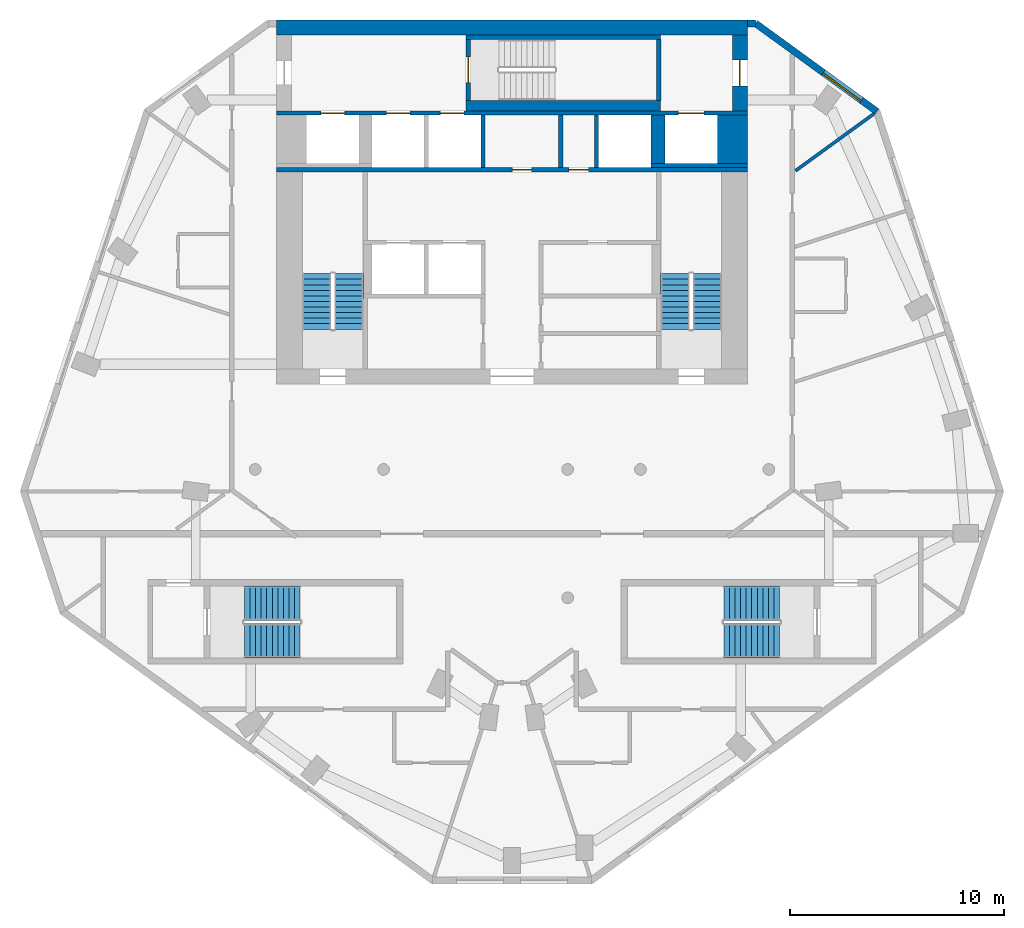
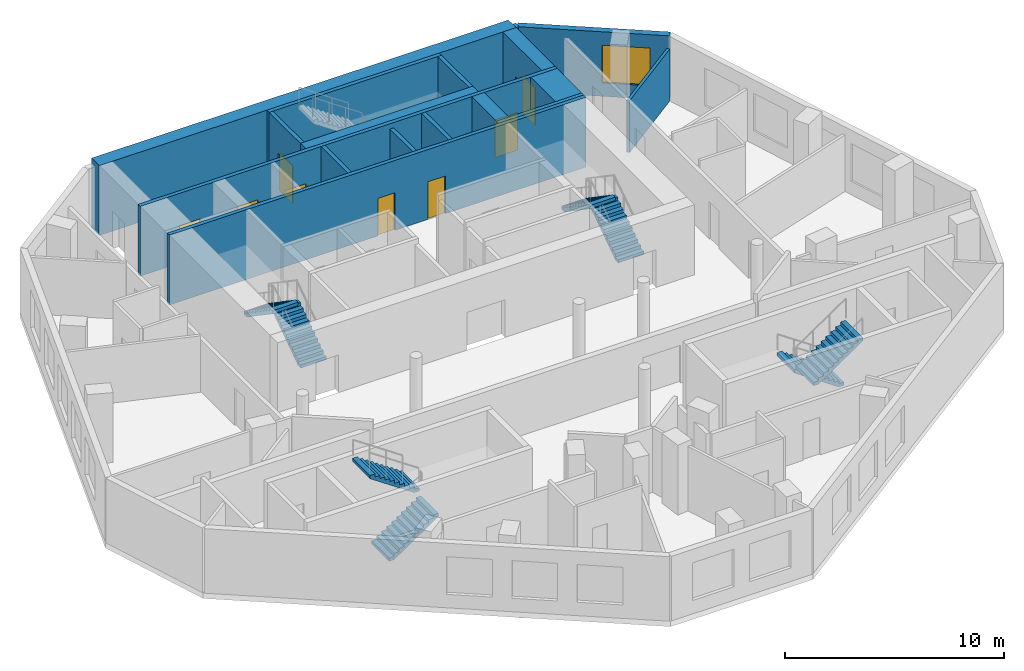
# One storey, part 5 of 8: 17 walls, 8 doors, 8 stair flights, 1 window, 9 openings, 4 elements without a shape of their own.
"""IFC4 building model written with IfcOpenShell, lengths in metres."""

from ifc_helpers import new_model, si_unit, direction, frame, frame_2d, origin, place, context, subcontext, project, spatial, polyline, rectangle, outline, extrude, material, layer, layer_set, type_object, element, fill, aggregate, save


model = new_model("IFC4")

# Units and contexts
model_context = context("Model", 3, precision=1e-05, world=origin(), true_north=direction((0.0, 1.0)))
body_context = subcontext(model_context, "Body", "Model", "MODEL_VIEW")
ifc_project = project(units=[si_unit("LENGTHUNIT", "METRE"), si_unit("AREAUNIT", "SQUARE_METRE"), si_unit("VOLUMEUNIT", "CUBIC_METRE"), si_unit("PLANEANGLEUNIT", "RADIAN"), si_unit("MASSUNIT", "GRAM", prefix="KILO")], contexts=[model_context])

# Site, building, storey
site_placement = place(None, origin())
site = spatial("IfcSite", under=ifc_project, at=site_placement, CompositionType="ELEMENT")
building_placement = place(site_placement, origin())
building = spatial("IfcBuilding", under=site, at=building_placement, Name="White Candle Pilgrim Tower", CompositionType="ELEMENT")
storey_placement = place(building_placement, frame((0.0, 0.0, 287.300048828125)))
storey = spatial("IfcBuildingStorey", under=building, at=storey_placement, Name="L68", CompositionType="ELEMENT", Elevation=287.300048828125)

# Walls
ifc_material_1 = material(Name="Concrete C50/60", Category="concrete")
ifc_layer_1 = layer(ifc_material_1, 1.39990234375)
ifc_layer_set_1 = layer_set([ifc_layer_1], Name="Core wall 1400 mm Concrete C50/60")
wall_type_1 = type_object("IfcWallType", Name="Core wall 1400 mm Concrete C50/60", PredefinedType="SHEAR", material=ifc_layer_set_1)
wall_1_placement = place(storey_placement, frame((80.300048828125, 81.300048828125, 0.0), z_axis=(0.0, 0.0, 1.0), x_axis=(0.0, 1.0, 0.0)))
element("IfcWall", 1, at=wall_1_placement, inside=storey, type_object=wall_type_1, Name="WL-L68-C42", PredefinedType="SHEAR", context=body_context, shape_type="SweptSolid", body=[
    extrude(rectangle(XDim=2.25, YDim=1.39990234375, at=frame_2d((1.125, 0.0))), origin(), (0.0, 0.0, 1.0), 3.89990234375),
])
ifc_layer_2 = layer(ifc_material_1, 0.199951171875)
ifc_layer_set_2 = layer_set([ifc_layer_2], Name="Core wall 200 mm Concrete C50/60")
wall_type_2 = type_object("IfcWallType", Name="Core wall 200 mm Concrete C50/60", PredefinedType="SHEAR", material=ifc_layer_set_2)
wall_2_placement = place(storey_placement, frame((76.5, 81.199951171875, 0.0), z_axis=(0.0, 0.0, 1.0), x_axis=(1.0, 0.0, 0.0)))
element("IfcWall", 2, at=wall_2_placement, inside=storey, type_object=wall_type_2, Name="WL-L68-C38", PredefinedType="SHEAR", context=body_context, shape_type="SweptSolid", body=[
    extrude(rectangle(XDim=4.5, YDim=0.199951171875, at=frame_2d((2.25, 0.0))), origin(), (0.0, 0.0, 1.0), 3.89990234375),
])

# Wall, openings, doors
wall_3_placement = place(storey_placement, frame((59.0, 83.64990234375, 0.0), z_axis=(0.0, 0.0, 1.0), x_axis=(1.0, 0.0, 0.0)))
wall_3 = element("IfcWall", 3, at=wall_3_placement, inside=storey, type_object=wall_type_2, Name="WL-L68-C43", PredefinedType="SHEAR", context=body_context, shape_type="SweptSolid", body=[
    extrude(rectangle(XDim=22.0, YDim=0.199951171875, at=frame_2d((11.0, 0.0))), origin(), (0.0, 0.0, 1.0), 3.89990234375),
])
opening_1_placement = place(wall_3_placement, frame((5.125, 0.0, 0.0)))
opening_1 = element("IfcOpeningElement", 4, at=opening_1_placement, cuts=wall_3, Name="Opening T21-016", PredefinedType="OPENING", context=body_context, shape_type="SweptSolid", body=[
    extrude(rectangle(XDim=1.10009765625, YDim=2.10009765625, at=frame_2d((0.550048828125, 1.050048828125))), frame((0.0, 0.10986328125, 0.0), z_axis=(0.0, -1.0, 0.0), x_axis=(1.0, 0.0, 0.0)), (0.0, 0.0, 1.0), 0.219970703125),
])
opening_2_placement = place(wall_3_placement, frame((7.64990234375, 0.0, 0.0)))
opening_2 = element("IfcOpeningElement", 5, at=opening_2_placement, cuts=wall_3, Name="Opening T21-017", PredefinedType="OPENING", context=body_context, shape_type="SweptSolid", body=[
    extrude(rectangle(XDim=1.10009765625, YDim=2.10009765625, at=frame_2d((0.550048828125, 1.050048828125))), frame((0.0, 0.10986328125, 0.0), z_axis=(0.0, -1.0, 0.0), x_axis=(1.0, 0.0, 0.0)), (0.0, 0.0, 1.0), 0.219970703125),
])
opening_3_placement = place(wall_3_placement, frame((18.77490234375, 0.0, 0.0)))
opening_3 = element("IfcOpeningElement", 6, at=opening_3_placement, cuts=wall_3, Name="Opening T21-018", PredefinedType="OPENING", context=body_context, shape_type="SweptSolid", body=[
    extrude(rectangle(XDim=1.199951171875, YDim=2.10009765625, at=frame_2d((0.60009765625, 1.050048828125))), frame((0.0, 0.10986328125, 0.0), z_axis=(0.0, -1.0, 0.0), x_axis=(1.0, 0.0, 0.0)), (0.0, 0.0, 1.0), 0.219970703125),
])
opening_4_placement = place(wall_3_placement, frame((2.074951171875, 0.0, 0.0)))
opening_4 = element("IfcOpeningElement", 7, at=opening_4_placement, cuts=wall_3, Name="Opening T21-019", PredefinedType="OPENING", context=body_context, shape_type="SweptSolid", body=[
    extrude(rectangle(XDim=1.10009765625, YDim=2.10009765625, at=frame_2d((0.550048828125, 1.050048828125))), frame((0.0, 0.10986328125, 0.0), z_axis=(0.0, -1.0, 0.0), x_axis=(1.0, 0.0, 0.0)), (0.0, 0.0, 1.0), 0.219970703125),
])
ifc_material_2 = material(Name="Stainless steel", Category="steel")
door_type_1 = type_object("IfcDoorType", Name="Lift landing door 1100 x 2100 EI 60", OperationType="DOUBLE_DOOR_SLIDING", PredefinedType="DOOR", material=ifc_material_2)
door_1_placement = place(opening_1_placement, origin())
door_1 = element("IfcDoor", 8, at=door_1_placement, inside=storey, type_object=door_type_1, Name="Door T21-016", OperationType="DOUBLE_DOOR_SLIDING", OverallHeight=2.10009765625, OverallWidth=1.10009765625, PredefinedType="DOOR", context=body_context, shape_type="SweptSolid", body=[
    extrude(rectangle(XDim=1.10009765625, YDim=2.10009765625, at=frame_2d((0.550048828125, 1.050048828125))), frame((0.0, 0.02490234375, 0.0), z_axis=(0.0, -1.0, 0.0), x_axis=(1.0, 0.0, 0.0)), (0.0, 0.0, 1.0), 0.050048828125),
])
fill(opening_1, door_1)
door_2_placement = place(opening_2_placement, origin())
door_2 = element("IfcDoor", 9, at=door_2_placement, inside=storey, type_object=door_type_1, Name="Door T21-017", OperationType="DOUBLE_DOOR_SLIDING", OverallHeight=2.10009765625, OverallWidth=1.10009765625, PredefinedType="DOOR", context=body_context, shape_type="SweptSolid", body=[
    extrude(rectangle(XDim=1.10009765625, YDim=2.10009765625, at=frame_2d((0.550048828125, 1.050048828125))), frame((0.0, 0.02490234375, 0.0), z_axis=(0.0, -1.0, 0.0), x_axis=(1.0, 0.0, 0.0)), (0.0, 0.0, 1.0), 0.050048828125),
])
fill(opening_2, door_2)
door_3_placement = place(opening_4_placement, origin())
door_3 = element("IfcDoor", 10, at=door_3_placement, inside=storey, type_object=door_type_1, Name="Door T21-019", OperationType="DOUBLE_DOOR_SLIDING", OverallHeight=2.10009765625, OverallWidth=1.10009765625, PredefinedType="DOOR", context=body_context, shape_type="SweptSolid", body=[
    extrude(rectangle(XDim=1.10009765625, YDim=2.10009765625, at=frame_2d((0.550048828125, 1.050048828125))), frame((0.0, 0.02490234375, 0.0), z_axis=(0.0, -1.0, 0.0), x_axis=(1.0, 0.0, 0.0)), (0.0, 0.0, 1.0), 0.050048828125),
])
fill(opening_4, door_3)
door_type_2 = type_object("IfcDoorType", Name="Lift landing door 1200 x 2100 E 60", OperationType="DOUBLE_DOOR_SLIDING", PredefinedType="DOOR", material=ifc_material_2)
door_4_placement = place(opening_3_placement, origin())
door_4 = element("IfcDoor", 11, at=door_4_placement, inside=storey, type_object=door_type_2, Name="Door T21-018", OperationType="DOUBLE_DOOR_SLIDING", OverallHeight=2.10009765625, OverallWidth=1.199951171875, PredefinedType="DOOR", context=body_context, shape_type="SweptSolid", body=[
    extrude(rectangle(XDim=1.199951171875, YDim=2.10009765625, at=frame_2d((0.60009765625, 1.050048828125))), frame((0.0, 0.02490234375, 0.0), z_axis=(0.0, -1.0, 0.0), x_axis=(1.0, 0.0, 0.0)), (0.0, 0.0, 1.0), 0.050048828125),
])
fill(opening_3, door_4)

# Wall, opening, door
ifc_layer_3 = layer(ifc_material_1, 0.699951171875)
ifc_layer_set_3 = layer_set([ifc_layer_3], Name="Core wall 700 mm Concrete C50/60")
wall_type_3 = type_object("IfcWallType", Name="Core wall 700 mm Concrete C50/60", PredefinedType="SHEAR", material=ifc_layer_set_3)
wall_4_placement = place(storey_placement, frame((80.64990234375, 83.75, 0.0), z_axis=(0.0, 0.0, 1.0), x_axis=(0.0, 1.0, 0.0)))
wall_4 = element("IfcWall", 12, at=wall_4_placement, inside=storey, type_object=wall_type_3, Name="WL-L68-C46", PredefinedType="SHEAR", context=body_context, shape_type="SweptSolid", body=[
    extrude(rectangle(XDim=3.550048828125, YDim=0.699951171875, at=frame_2d((1.77490234375, 0.0))), origin(), (0.0, 0.0, 1.0), 3.89990234375),
])
opening_5_placement = place(wall_4_placement, frame((1.175048828125, 0.0, 0.0)))
opening_5 = element("IfcOpeningElement", 13, at=opening_5_placement, cuts=wall_4, Name="Opening T21-009", PredefinedType="OPENING", context=body_context, shape_type="SweptSolid", body=[
    extrude(rectangle(XDim=1.199951171875, YDim=2.10009765625, at=frame_2d((0.60009765625, 1.050048828125))), frame((0.0, 0.35986328125, 0.0), z_axis=(0.0, -1.0, 0.0), x_axis=(1.0, 0.0, 0.0)), (0.0, 0.0, 1.0), 0.719970703125),
])
ifc_material_3 = material(Name="Steel door leaf", Category="steel")
door_type_3 = type_object("IfcDoorType", Name="Fire door 1200 x 2100 EI 30", OperationType="NOTDEFINED", PredefinedType="DOOR", material=ifc_material_3)
door_5_placement = place(opening_5_placement, origin())
door_5 = element("IfcDoor", 14, at=door_5_placement, inside=storey, type_object=door_type_3, Name="Door T21-009", OperationType="SINGLE_SWING_LEFT", OverallHeight=2.10009765625, OverallWidth=1.199951171875, PredefinedType="DOOR", context=body_context, shape_type="SweptSolid", body=[
    extrude(rectangle(XDim=1.199951171875, YDim=2.10009765625, at=frame_2d((0.60009765625, 1.050048828125))), frame((0.0, 0.02490234375, 0.0), z_axis=(0.0, -1.0, 0.0), x_axis=(1.0, 0.0, 0.0)), (0.0, 0.0, 1.0), 0.050048828125),
])
fill(opening_5, door_5)

# Wall
wall_5_placement = place(storey_placement, frame((59.0, 87.64990234375, 0.0), z_axis=(0.0, 0.0, 1.0), x_axis=(1.0, 0.0, 0.0)))
element("IfcWall", 15, at=wall_5_placement, inside=storey, type_object=wall_type_3, Name="WL-L68-C50", PredefinedType="SHEAR", context=body_context, shape_type="SweptSolid", body=[
    extrude(rectangle(XDim=22.0, YDim=0.699951171875, at=frame_2d((11.0, 0.0))), origin(), (0.0, 0.0, 1.0), 3.89990234375),
])

# Wall, opening, window
ifc_material_4 = material(Name="Precast concrete C40/50", Category="concrete")
ifc_layer_4 = layer(ifc_material_4, 0.320068359375)
ifc_layer_set_4 = layer_set([ifc_layer_4], Name="Facade wall EW1 precast concrete C40/50 pier wall with timber-lined reveals")
wall_type_4 = type_object("IfcWallType", Name="Facade wall EW1 precast concrete C40/50 pier wall with timber-lined reveals", PredefinedType="SOLIDWALL", material=ifc_layer_set_4)
wall_6_placement = place(storey_placement, frame((87.05322265625, 83.7216796875, 0.0), z_axis=(0.0, 0.0, 1.0), x_axis=(-0.809002708762, 0.587804914249, 0.0)))
wall_6 = element("IfcWall", 16, at=wall_6_placement, inside=storey, type_object=wall_type_4, Name="Facade wall L68 NE chamfer", PredefinedType="SOLIDWALL", context=body_context, shape_type="SweptSolid", body=[
    extrude(rectangle(XDim=7.00634765625, YDim=0.320068359375, at=frame_2d((3.503173828125, 0.0))), origin(), (0.0, 0.0, 1.0), 3.599853515625),
])
opening_6_placement = place(wall_6_placement, frame((0.9033203125, 0.0, 0.75)))
opening_6 = element("IfcOpeningElement", 17, at=opening_6_placement, cuts=wall_6, Name="Opening W4", PredefinedType="OPENING", context=body_context, shape_type="SweptSolid", body=[
    extrude(rectangle(XDim=2.199951171875, YDim=2.10009765625, at=frame_2d((1.10009765625, 1.050048828125))), frame((0.0, 0.169921875, 0.0), z_axis=(0.0, -1.0, 0.0), x_axis=(1.0, 0.0, 0.0)), (0.0, 0.0, 1.0), 0.340087890625),
])
ifc_material_5 = material(Name="Timber frame with triple glazing", Category="wood")
window_type = type_object("IfcWindowType", Name="Window W4 2200x2100 timber frame triple glazing", PartitioningType="SINGLE_PANEL", PredefinedType="WINDOW", material=ifc_material_5)
window_placement = place(opening_6_placement, origin())
window = element("IfcWindow", 18, at=window_placement, inside=storey, type_object=window_type, Name="Window W4 L68 NE chamfer 1", OverallHeight=2.10009765625, OverallWidth=2.199951171875, PartitioningType="SINGLE_PANEL", PredefinedType="WINDOW", context=body_context, shape_type="SweptSolid", body=[
    extrude(rectangle(XDim=2.199951171875, YDim=2.10009765625, at=frame_2d((1.10009765625, 1.050048828125))), frame((0.0, 0.070068359375, 0.0), z_axis=(0.0, -1.0, 0.0), x_axis=(1.0, 0.0, 0.0)), (0.0, 0.0, 1.0), 0.06005859375),
])
fill(opening_6, window)

# Walls
wall_7_placement = place(storey_placement, frame((81.385009765625, 87.840087890625, 0.0), z_axis=(0.0, 0.0, 1.0), x_axis=(-1.0, 0.0, 0.0)))
element("IfcWall", 19, at=wall_7_placement, inside=storey, type_object=wall_type_4, Name="Facade wall L68 N", PredefinedType="SOLIDWALL", context=body_context, shape_type="SweptSolid", body=[
    extrude(rectangle(XDim=0.385009765625, YDim=0.320068359375, at=frame_2d((0.1923828125, 0.0))), origin(), (0.0, 0.0, 1.0), 3.599853515625),
])
ifc_material_6 = material(Name="Gypsum board on steel studs", Category="steel")
ifc_layer_5 = layer(ifc_material_6, 0.199951171875)
ifc_layer_set_5 = layer_set([ifc_layer_5], Name="Lobby wall 200 mm EI 60")
wall_type_5 = type_object("IfcWallType", Name="Lobby wall 200 mm EI 60", PredefinedType="PARTITIONING", material=ifc_layer_set_5)
wall_8_placement = place(storey_placement, frame((72.280029296875, 81.10009765625, 0.0), z_axis=(0.0, 0.0, 1.0), x_axis=(0.0, 1.0, 0.0)))
element("IfcWall", 20, at=wall_8_placement, inside=storey, type_object=wall_type_5, Name="WL-L68-C36", PredefinedType="PARTITIONING", context=body_context, shape_type="SweptSolid", body=[
    extrude(rectangle(XDim=2.449951171875, YDim=0.199951171875, at=frame_2d((1.22509765625, 0.0))), origin(), (0.0, 0.0, 1.0), 3.599853515625),
])
ifc_layer_6 = layer(ifc_material_6, 0.14990234375)
ifc_layer_set_6 = layer_set([ifc_layer_6], Name="Partition 150 mm EI 60")
wall_type_6 = type_object("IfcWallType", Name="Partition 150 mm EI 60", PredefinedType="PARTITIONING", material=ifc_layer_set_6)
wall_9_placement = place(storey_placement, frame((86.917236328125, 83.622802734375, 0.0), z_axis=(0.0, 0.0, 1.0), x_axis=(-0.809012707043, -0.587791153253, 0.0)))
element("IfcWall", 21, at=wall_9_placement, inside=storey, type_object=wall_type_6, Name="WL-L68-P024", PredefinedType="PARTITIONING", context=body_context, shape_type="SweptSolid", body=[
    extrude(rectangle(XDim=4.540283203125, YDim=0.14990234375, at=frame_2d((2.27001953125, 0.0))), origin(), (0.0, 0.0, 1.0), 2.89990234375),
])
ifc_layer_7 = layer(ifc_material_1, 0.199951171875)
ifc_layer_set_7 = layer_set([ifc_layer_7], Name="Shaft wall 200 mm Concrete C50/60")
wall_type_7 = type_object("IfcWallType", Name="Shaft wall 200 mm Concrete C50/60", PredefinedType="SHEAR", material=ifc_layer_set_7)
for number, where, z_axis, x_axis, name in (
    (22, (68.64990234375, 81.10009765625, 0.0), (0.0, 0.0, 1.0), (0.0, 1.0, 0.0), "WL-L68-C35"),
    (23, (73.949951171875, 81.10009765625, 0.0), (0.0, 0.0, 1.0), (0.0, 1.0, 0.0), "WL-L68-C37"),
):
    element("IfcWall", number, at=place(storey_placement, frame(where, z_axis=z_axis, x_axis=x_axis)), inside=storey, type_object=wall_type_7, Name=name, PredefinedType="SHEAR", context=body_context, shape_type="SweptSolid", body=[
        extrude(rectangle(XDim=2.449951171875, YDim=0.199951171875, at=frame_2d((1.22509765625, 0.0))), origin(), (0.0, 0.0, 1.0), 3.89990234375),
    ])
ifc_layer_8 = layer(ifc_material_1, 0.64990234375)
ifc_layer_set_8 = layer_set([ifc_layer_8], Name="Shaft wall 650 mm Concrete C50/60")
wall_type_8 = type_object("IfcWallType", Name="Shaft wall 650 mm Concrete C50/60", PredefinedType="SHEAR", material=ifc_layer_set_8)
wall_10_placement = place(storey_placement, frame((76.824951171875, 81.300048828125, 0.0), z_axis=(0.0, 0.0, 1.0), x_axis=(0.0, 1.0, 0.0)))
element("IfcWall", 24, at=wall_10_placement, inside=storey, type_object=wall_type_8, Name="WL-L68-C41", PredefinedType="SHEAR", context=body_context, shape_type="SweptSolid", body=[
    extrude(rectangle(XDim=2.25, YDim=0.64990234375, at=frame_2d((1.125, 0.0))), origin(), (0.0, 0.0, 1.0), 3.89990234375),
])

# Wall, openings, doors
ifc_layer_9 = layer(ifc_material_1, 0.199951171875)
ifc_layer_set_9 = layer_set([ifc_layer_9], Name="Stair shaft wall 200 mm Concrete C50/60")
wall_type_9 = type_object("IfcWallType", Name="Stair shaft wall 200 mm Concrete C50/60", PredefinedType="SHEAR", material=ifc_layer_set_9)
wall_11_placement = place(storey_placement, frame((59.0, 81.0, 0.0), z_axis=(0.0, 0.0, 1.0), x_axis=(1.0, 0.0, 0.0)))
wall_11 = element("IfcWall", 25, at=wall_11_placement, inside=storey, type_object=wall_type_9, Name="WL-L68-C32", PredefinedType="SHEAR", context=body_context, shape_type="SweptSolid", body=[
    extrude(rectangle(XDim=22.0, YDim=0.199951171875, at=frame_2d((11.0, 0.0))), origin(), (0.0, 0.0, 1.0), 3.89990234375),
])
opening_7_placement = place(wall_11_placement, frame((11.014892578125, 0.0, 0.0)))
opening_7 = element("IfcOpeningElement", 26, at=opening_7_placement, cuts=wall_11, Name="Opening T21-021", PredefinedType="OPENING", context=body_context, shape_type="SweptSolid", body=[
    extrude(rectangle(XDim=0.89990234375, YDim=2.10009765625, at=frame_2d((0.449951171875, 1.050048828125))), frame((0.0, 0.10986328125, 0.0), z_axis=(0.0, -1.0, 0.0), x_axis=(1.0, 0.0, 0.0)), (0.0, 0.0, 1.0), 0.219970703125),
])
opening_8_placement = place(wall_11_placement, frame((13.6650390625, 0.0, 0.0)))
opening_8 = element("IfcOpeningElement", 27, at=opening_8_placement, cuts=wall_11, Name="Opening T21-022", PredefinedType="OPENING", context=body_context, shape_type="SweptSolid", body=[
    extrude(rectangle(XDim=0.89990234375, YDim=2.10009765625, at=frame_2d((0.449951171875, 1.050048828125))), frame((0.0, 0.10986328125, 0.0), z_axis=(0.0, -1.0, 0.0), x_axis=(1.0, 0.0, 0.0)), (0.0, 0.0, 1.0), 0.219970703125),
])
door_type_4 = type_object("IfcDoorType", Name="Fire door 900 x 2100 EI 30", OperationType="NOTDEFINED", PredefinedType="DOOR", material=ifc_material_3)
door_6_placement = place(opening_7_placement, origin())
door_6 = element("IfcDoor", 28, at=door_6_placement, inside=storey, type_object=door_type_4, Name="Door T21-021", OperationType="SINGLE_SWING_LEFT", OverallHeight=2.10009765625, OverallWidth=0.89990234375, PredefinedType="DOOR", context=body_context, shape_type="SweptSolid", body=[
    extrude(rectangle(XDim=0.89990234375, YDim=2.10009765625, at=frame_2d((0.449951171875, 1.050048828125))), frame((0.0, 0.02490234375, 0.0), z_axis=(0.0, -1.0, 0.0), x_axis=(1.0, 0.0, 0.0)), (0.0, 0.0, 1.0), 0.050048828125),
])
fill(opening_7, door_6)
door_7_placement = place(opening_8_placement, origin())
door_7 = element("IfcDoor", 29, at=door_7_placement, inside=storey, type_object=door_type_4, Name="Door T21-022", OperationType="SINGLE_SWING_RIGHT", OverallHeight=2.10009765625, OverallWidth=0.89990234375, PredefinedType="DOOR", context=body_context, shape_type="SweptSolid", body=[
    extrude(rectangle(XDim=0.89990234375, YDim=2.10009765625, at=frame_2d((0.449951171875, 1.050048828125))), frame((0.0, 0.02490234375, 0.0), z_axis=(0.0, -1.0, 0.0), x_axis=(1.0, 0.0, 0.0)), (0.0, 0.0, 1.0), 0.050048828125),
])
fill(opening_8, door_7)

# Wall, opening, door
wall_12_placement = place(storey_placement, frame((67.949951171875, 84.25, 0.0), z_axis=(0.0, 0.0, 1.0), x_axis=(0.0, 1.0, 0.0)))
wall_12 = element("IfcWall", 30, at=wall_12_placement, inside=storey, type_object=wall_type_9, Name="WL-L68-C47", PredefinedType="SHEAR", context=body_context, shape_type="SweptSolid", body=[
    extrude(rectangle(XDim=2.85009765625, YDim=0.199951171875, at=frame_2d((1.425048828125, 0.0))), origin(), (0.0, 0.0, 1.0), 3.89990234375),
])
opening_9_placement = place(wall_12_placement, frame((0.824951171875, 0.0, 0.0)))
opening_9 = element("IfcOpeningElement", 31, at=opening_9_placement, cuts=wall_12, Name="Opening T21-003", PredefinedType="OPENING", context=body_context, shape_type="SweptSolid", body=[
    extrude(rectangle(XDim=1.199951171875, YDim=2.10009765625, at=frame_2d((0.60009765625, 1.050048828125))), frame((0.0, 0.10986328125, 0.0), z_axis=(0.0, -1.0, 0.0), x_axis=(1.0, 0.0, 0.0)), (0.0, 0.0, 1.0), 0.219970703125),
])
door_type_5 = type_object("IfcDoorType", Name="Fire door 1200 x 2100 EI 60", OperationType="NOTDEFINED", PredefinedType="DOOR", material=ifc_material_3)
door_8_placement = place(opening_9_placement, frame((1.199951171875, 0.0, 0.0), z_axis=(0.0, 0.0, 1.0), x_axis=(-1.0, 0.0, 0.0)))
door_8 = element("IfcDoor", 32, at=door_8_placement, inside=storey, type_object=door_type_5, Name="Door T21-003", OperationType="SINGLE_SWING_RIGHT", OverallHeight=2.10009765625, OverallWidth=1.199951171875, PredefinedType="DOOR", context=body_context, shape_type="SweptSolid", body=[
    extrude(rectangle(XDim=1.199951171875, YDim=2.10009765625, at=frame_2d((0.60009765625, 1.050048828125))), frame((0.0, 0.02490234375, 0.0), z_axis=(0.0, -1.0, 0.0), x_axis=(1.0, 0.0, 0.0)), (0.0, 0.0, 1.0), 0.050048828125),
])
fill(opening_9, door_8)

# Walls
wall_13_placement = place(storey_placement, frame((76.85009765625, 84.25, 0.0), z_axis=(0.0, 0.0, 1.0), x_axis=(0.0, 1.0, 0.0)))
element("IfcWall", 33, at=wall_13_placement, inside=storey, type_object=wall_type_9, Name="WL-L68-C48", PredefinedType="SHEAR", context=body_context, shape_type="SweptSolid", body=[
    extrude(rectangle(XDim=2.85009765625, YDim=0.199951171875, at=frame_2d((1.425048828125, 0.0))), origin(), (0.0, 0.0, 1.0), 3.89990234375),
])
wall_14_placement = place(storey_placement, frame((67.85009765625, 87.199951171875, 0.0), z_axis=(0.0, 0.0, 1.0), x_axis=(1.0, 0.0, 0.0)))
element("IfcWall", 34, at=wall_14_placement, inside=storey, type_object=wall_type_9, Name="WL-L68-C49", PredefinedType="SHEAR", context=body_context, shape_type="SweptSolid", body=[
    extrude(rectangle(XDim=9.099853515625, YDim=0.199951171875, at=frame_2d((4.5498046875, 0.0))), origin(), (0.0, 0.0, 1.0), 3.89990234375),
])
ifc_layer_10 = layer(ifc_material_1, 0.5)
ifc_layer_set_10 = layer_set([ifc_layer_10], Name="Stair shaft wall 500 mm Concrete C50/60")
wall_type_10 = type_object("IfcWallType", Name="Stair shaft wall 500 mm Concrete C50/60", PredefinedType="SHEAR", material=ifc_layer_set_10)
wall_15_placement = place(storey_placement, frame((67.85009765625, 84.0, 0.0), z_axis=(0.0, 0.0, 1.0), x_axis=(1.0, 0.0, 0.0)))
element("IfcWall", 35, at=wall_15_placement, inside=storey, type_object=wall_type_10, Name="WL-L68-C45", PredefinedType="SHEAR", context=body_context, shape_type="SweptSolid", body=[
    extrude(rectangle(XDim=9.099853515625, YDim=0.5, at=frame_2d((4.5498046875, 0.0))), origin(), (0.0, 0.0, 1.0), 3.89990234375),
])

# Stair, stair flights
ifc_material_7 = material(Name="Concrete C40/50", Category="concrete")
stair_type_1 = type_object("IfcStairType", Name="Exit stair 1 flight width 1350 mm", PredefinedType="HALF_TURN_STAIR", material=ifc_material_7)
stair_1_placement = place(storey_placement, origin())
stair_1 = element("IfcStair", 36, at=stair_1_placement, inside=storey, type_object=stair_type_1, Name="L68 stair 1", PredefinedType="NOTDEFINED")
ifc_layer_11 = layer(ifc_material_7, 0.14990234375)
ifc_layer_set_11 = layer_set([ifc_layer_11], Name="Stair flight Concrete C40/50")
stair_flight_type = type_object("IfcStairFlightType", Name="Stair flight Concrete C40/50", PredefinedType="STRAIGHT", material=ifc_layer_set_11)
stair_flight_1_placement = place(storey_placement, frame((62.375, 73.550048828125, 0.0), z_axis=(0.0, 0.0, 1.0), x_axis=(0.0, 1.0, 0.0)))
stair_flight_1 = element("IfcStairFlight", 37, at=stair_flight_1_placement, type_object=stair_flight_type, Name="ST1 flight 1", NumberOfRisers=11, NumberOfTreads=10, PredefinedType="NOTDEFINED", RiserHeight=0.177272727, TreadLength=0.26, context=body_context, shape_type="SweptSolid", body=[
    extrude(outline(polyline([(0.0, 0.0), (0.0, 0.17724609375), (0.260009765625, 0.17724609375), (0.260009765625, 0.3544921875), (0.52001953125, 0.3544921875), (0.52001953125, 0.53173828125), (0.780029296875, 0.53173828125), (0.780029296875, 0.708984375), (1.0400390625, 0.708984375), (1.0400390625, 0.886474609375), (1.300048828125, 0.886474609375), (1.300048828125, 1.063720703125), (1.56005859375, 1.063720703125), (1.56005859375, 1.240966796875), (1.820068359375, 1.240966796875), (1.820068359375, 1.418212890625), (2.080078125, 1.418212890625), (2.080078125, 1.595458984375), (2.340087890625, 1.595458984375), (2.340087890625, 1.772705078125), (2.60009765625, 1.772705078125), (2.60009765625, 1.949951171875), (2.60009765625, 1.59130859375), (0.26611328125, 0.0), (0.0, 0.0)])), frame((0.0, 0.675048828125, 0.0), z_axis=(0.0, -1.0, 0.0), x_axis=(1.0, 0.0, 0.0)), (0.0, 0.0, 1.0), 1.35009765625),
])
stair_flight_2_placement = place(storey_placement, frame((60.875, 76.14990234375, 1.949951171875), z_axis=(0.0, 0.0, 1.0), x_axis=(0.0, -1.0, 0.0)))
stair_flight_2 = element("IfcStairFlight", 38, at=stair_flight_2_placement, type_object=stair_flight_type, Name="ST1 flight 2", NumberOfRisers=11, NumberOfTreads=10, PredefinedType="NOTDEFINED", RiserHeight=0.177272727, TreadLength=0.26, context=body_context, shape_type="SweptSolid", body=[
    extrude(outline(polyline([(0.0, 0.0), (0.0, 0.17724609375), (0.260009765625, 0.17724609375), (0.260009765625, 0.3544921875), (0.52001953125, 0.3544921875), (0.52001953125, 0.53173828125), (0.780029296875, 0.53173828125), (0.780029296875, 0.708984375), (1.0400390625, 0.708984375), (1.0400390625, 0.886474609375), (1.300048828125, 0.886474609375), (1.300048828125, 1.063720703125), (1.56005859375, 1.063720703125), (1.56005859375, 1.240966796875), (1.820068359375, 1.240966796875), (1.820068359375, 1.418212890625), (2.080078125, 1.418212890625), (2.080078125, 1.595458984375), (2.340087890625, 1.595458984375), (2.340087890625, 1.772705078125), (2.60009765625, 1.772705078125), (2.60009765625, 1.949951171875), (2.60009765625, 1.59130859375), (0.26611328125, 0.0), (0.0, 0.0)])), frame((0.0, 0.675048828125, 0.0), z_axis=(0.0, -1.0, 0.0), x_axis=(1.0, 0.0, 0.0)), (0.0, 0.0, 1.0), 1.35009765625),
])
aggregate(stair_1, [stair_flight_1, stair_flight_2])

stair_type_2 = type_object("IfcStairType", Name="Exit stair 2 flight width 1350 mm", PredefinedType="HALF_TURN_STAIR", material=ifc_material_7)
stair_2_placement = place(storey_placement, origin())
stair_2 = element("IfcStair", 39, at=stair_2_placement, inside=storey, type_object=stair_type_2, Name="L68 stair 2", PredefinedType="NOTDEFINED")
stair_flight_3_placement = place(storey_placement, frame((79.125, 73.550048828125, 0.0), z_axis=(0.0, 0.0, 1.0), x_axis=(0.0, 1.0, 0.0)))
stair_flight_3 = element("IfcStairFlight", 40, at=stair_flight_3_placement, type_object=stair_flight_type, Name="ST2 flight 1", NumberOfRisers=11, NumberOfTreads=10, PredefinedType="NOTDEFINED", RiserHeight=0.177272727, TreadLength=0.26, context=body_context, shape_type="SweptSolid", body=[
    extrude(outline(polyline([(0.0, 0.0), (0.0, 0.17724609375), (0.260009765625, 0.17724609375), (0.260009765625, 0.3544921875), (0.52001953125, 0.3544921875), (0.52001953125, 0.53173828125), (0.780029296875, 0.53173828125), (0.780029296875, 0.708984375), (1.0400390625, 0.708984375), (1.0400390625, 0.886474609375), (1.300048828125, 0.886474609375), (1.300048828125, 1.063720703125), (1.56005859375, 1.063720703125), (1.56005859375, 1.240966796875), (1.820068359375, 1.240966796875), (1.820068359375, 1.418212890625), (2.080078125, 1.418212890625), (2.080078125, 1.595458984375), (2.340087890625, 1.595458984375), (2.340087890625, 1.772705078125), (2.60009765625, 1.772705078125), (2.60009765625, 1.949951171875), (2.60009765625, 1.59130859375), (0.26611328125, 0.0), (0.0, 0.0)])), frame((0.0, 0.675048828125, 0.0), z_axis=(0.0, -1.0, 0.0), x_axis=(1.0, 0.0, 0.0)), (0.0, 0.0, 1.0), 1.35009765625),
])
stair_flight_4_placement = place(storey_placement, frame((77.625, 76.14990234375, 1.949951171875), z_axis=(0.0, 0.0, 1.0), x_axis=(0.0, -1.0, 0.0)))
stair_flight_4 = element("IfcStairFlight", 41, at=stair_flight_4_placement, type_object=stair_flight_type, Name="ST2 flight 2", NumberOfRisers=11, NumberOfTreads=10, PredefinedType="NOTDEFINED", RiserHeight=0.177272727, TreadLength=0.26, context=body_context, shape_type="SweptSolid", body=[
    extrude(outline(polyline([(0.0, 0.0), (0.0, 0.17724609375), (0.260009765625, 0.17724609375), (0.260009765625, 0.3544921875), (0.52001953125, 0.3544921875), (0.52001953125, 0.53173828125), (0.780029296875, 0.53173828125), (0.780029296875, 0.708984375), (1.0400390625, 0.708984375), (1.0400390625, 0.886474609375), (1.300048828125, 0.886474609375), (1.300048828125, 1.063720703125), (1.56005859375, 1.063720703125), (1.56005859375, 1.240966796875), (1.820068359375, 1.240966796875), (1.820068359375, 1.418212890625), (2.080078125, 1.418212890625), (2.080078125, 1.595458984375), (2.340087890625, 1.595458984375), (2.340087890625, 1.772705078125), (2.60009765625, 1.772705078125), (2.60009765625, 1.949951171875), (2.60009765625, 1.59130859375), (0.26611328125, 0.0), (0.0, 0.0)])), frame((0.0, 0.675048828125, 0.0), z_axis=(0.0, -1.0, 0.0), x_axis=(1.0, 0.0, 0.0)), (0.0, 0.0, 1.0), 1.35009765625),
])
aggregate(stair_2, [stair_flight_3, stair_flight_4])

stair_type_3 = type_object("IfcStairType", Name="Exit stair 4 flight width 1600 mm", PredefinedType="HALF_TURN_STAIR", material=ifc_material_7)
stair_3_placement = place(storey_placement, origin())
stair_3 = element("IfcStair", 42, at=stair_3_placement, inside=storey, type_object=stair_type_3, Name="L68 stair 4", PredefinedType="NOTDEFINED")
stair_flight_5_placement = place(storey_placement, frame((82.5, 60.75, 0.0), z_axis=(0.0, 0.0, 1.0), x_axis=(-1.0, 0.0, 0.0)))
stair_flight_5 = element("IfcStairFlight", 43, at=stair_flight_5_placement, type_object=stair_flight_type, Name="ST4 flight 1", NumberOfRisers=11, NumberOfTreads=10, PredefinedType="NOTDEFINED", RiserHeight=0.177272727, TreadLength=0.26, context=body_context, shape_type="SweptSolid", body=[
    extrude(outline(polyline([(0.0, 0.0), (0.0, 0.17724609375), (0.260009765625, 0.17724609375), (0.260009765625, 0.3544921875), (0.52001953125, 0.3544921875), (0.52001953125, 0.53173828125), (0.780029296875, 0.53173828125), (0.780029296875, 0.708984375), (1.0400390625, 0.708984375), (1.0400390625, 0.886474609375), (1.300048828125, 0.886474609375), (1.300048828125, 1.063720703125), (1.56005859375, 1.063720703125), (1.56005859375, 1.240966796875), (1.820068359375, 1.240966796875), (1.820068359375, 1.418212890625), (2.080078125, 1.418212890625), (2.080078125, 1.595458984375), (2.340087890625, 1.595458984375), (2.340087890625, 1.772705078125), (2.60009765625, 1.772705078125), (2.60009765625, 1.949951171875), (2.60009765625, 1.59130859375), (0.26611328125, 0.0), (0.0, 0.0)])), frame((0.0, 0.800048828125, 0.0), z_axis=(0.0, -1.0, 0.0), x_axis=(1.0, 0.0, 0.0)), (0.0, 0.0, 1.0), 1.60009765625),
])
stair_flight_6_placement = place(storey_placement, frame((79.89990234375, 59.0, 1.949951171875), z_axis=(0.0, 0.0, 1.0), x_axis=(1.0, 0.0, 0.0)))
stair_flight_6 = element("IfcStairFlight", 44, at=stair_flight_6_placement, type_object=stair_flight_type, Name="ST4 flight 2", NumberOfRisers=11, NumberOfTreads=10, PredefinedType="NOTDEFINED", RiserHeight=0.177272727, TreadLength=0.26, context=body_context, shape_type="SweptSolid", body=[
    extrude(outline(polyline([(0.0, 0.0), (0.0, 0.17724609375), (0.260009765625, 0.17724609375), (0.260009765625, 0.3544921875), (0.52001953125, 0.3544921875), (0.52001953125, 0.53173828125), (0.780029296875, 0.53173828125), (0.780029296875, 0.708984375), (1.0400390625, 0.708984375), (1.0400390625, 0.886474609375), (1.300048828125, 0.886474609375), (1.300048828125, 1.063720703125), (1.56005859375, 1.063720703125), (1.56005859375, 1.240966796875), (1.820068359375, 1.240966796875), (1.820068359375, 1.418212890625), (2.080078125, 1.418212890625), (2.080078125, 1.595458984375), (2.340087890625, 1.595458984375), (2.340087890625, 1.772705078125), (2.60009765625, 1.772705078125), (2.60009765625, 1.949951171875), (2.60009765625, 1.59130859375), (0.26611328125, 0.0), (0.0, 0.0)])), frame((0.0, 0.800048828125, 0.0), z_axis=(0.0, -1.0, 0.0), x_axis=(1.0, 0.0, 0.0)), (0.0, 0.0, 1.0), 1.60009765625),
])
aggregate(stair_3, [stair_flight_5, stair_flight_6])

stair_type_4 = type_object("IfcStairType", Name="Exit stair 5 flight width 1600 mm", PredefinedType="HALF_TURN_STAIR", material=ifc_material_7)
stair_4_placement = place(storey_placement, origin())
stair_4 = element("IfcStair", 45, at=stair_4_placement, inside=storey, type_object=stair_type_4, Name="L68 stair 5", PredefinedType="NOTDEFINED")
stair_flight_7_placement = place(storey_placement, frame((57.5, 59.0, 0.0), z_axis=(0.0, 0.0, 1.0), x_axis=(1.0, 0.0, 0.0)))
stair_flight_7 = element("IfcStairFlight", 46, at=stair_flight_7_placement, type_object=stair_flight_type, Name="ST5 flight 1", NumberOfRisers=11, NumberOfTreads=10, PredefinedType="NOTDEFINED", RiserHeight=0.177272727, TreadLength=0.26, context=body_context, shape_type="SweptSolid", body=[
    extrude(outline(polyline([(0.0, 0.0), (0.0, 0.17724609375), (0.260009765625, 0.17724609375), (0.260009765625, 0.3544921875), (0.52001953125, 0.3544921875), (0.52001953125, 0.53173828125), (0.780029296875, 0.53173828125), (0.780029296875, 0.708984375), (1.0400390625, 0.708984375), (1.0400390625, 0.886474609375), (1.300048828125, 0.886474609375), (1.300048828125, 1.063720703125), (1.56005859375, 1.063720703125), (1.56005859375, 1.240966796875), (1.820068359375, 1.240966796875), (1.820068359375, 1.418212890625), (2.080078125, 1.418212890625), (2.080078125, 1.595458984375), (2.340087890625, 1.595458984375), (2.340087890625, 1.772705078125), (2.60009765625, 1.772705078125), (2.60009765625, 1.949951171875), (2.60009765625, 1.59130859375), (0.26611328125, 0.0), (0.0, 0.0)])), frame((0.0, 0.800048828125, 0.0), z_axis=(0.0, -1.0, 0.0), x_axis=(1.0, 0.0, 0.0)), (0.0, 0.0, 1.0), 1.60009765625),
])
stair_flight_8_placement = place(storey_placement, frame((60.10009765625, 60.75, 1.949951171875), z_axis=(0.0, 0.0, 1.0), x_axis=(-1.0, 0.0, 0.0)))
stair_flight_8 = element("IfcStairFlight", 47, at=stair_flight_8_placement, type_object=stair_flight_type, Name="ST5 flight 2", NumberOfRisers=11, NumberOfTreads=10, PredefinedType="NOTDEFINED", RiserHeight=0.177272727, TreadLength=0.26, context=body_context, shape_type="SweptSolid", body=[
    extrude(outline(polyline([(0.0, 0.0), (0.0, 0.17724609375), (0.260009765625, 0.17724609375), (0.260009765625, 0.3544921875), (0.52001953125, 0.3544921875), (0.52001953125, 0.53173828125), (0.780029296875, 0.53173828125), (0.780029296875, 0.708984375), (1.0400390625, 0.708984375), (1.0400390625, 0.886474609375), (1.300048828125, 0.886474609375), (1.300048828125, 1.063720703125), (1.56005859375, 1.063720703125), (1.56005859375, 1.240966796875), (1.820068359375, 1.240966796875), (1.820068359375, 1.418212890625), (2.080078125, 1.418212890625), (2.080078125, 1.595458984375), (2.340087890625, 1.595458984375), (2.340087890625, 1.772705078125), (2.60009765625, 1.772705078125), (2.60009765625, 1.949951171875), (2.60009765625, 1.59130859375), (0.26611328125, 0.0), (0.0, 0.0)])), frame((0.0, 0.800048828125, 0.0), z_axis=(0.0, -1.0, 0.0), x_axis=(1.0, 0.0, 0.0)), (0.0, 0.0, 1.0), 1.60009765625),
])
aggregate(stair_4, [stair_flight_7, stair_flight_8])

save(model, "model.ifc")
